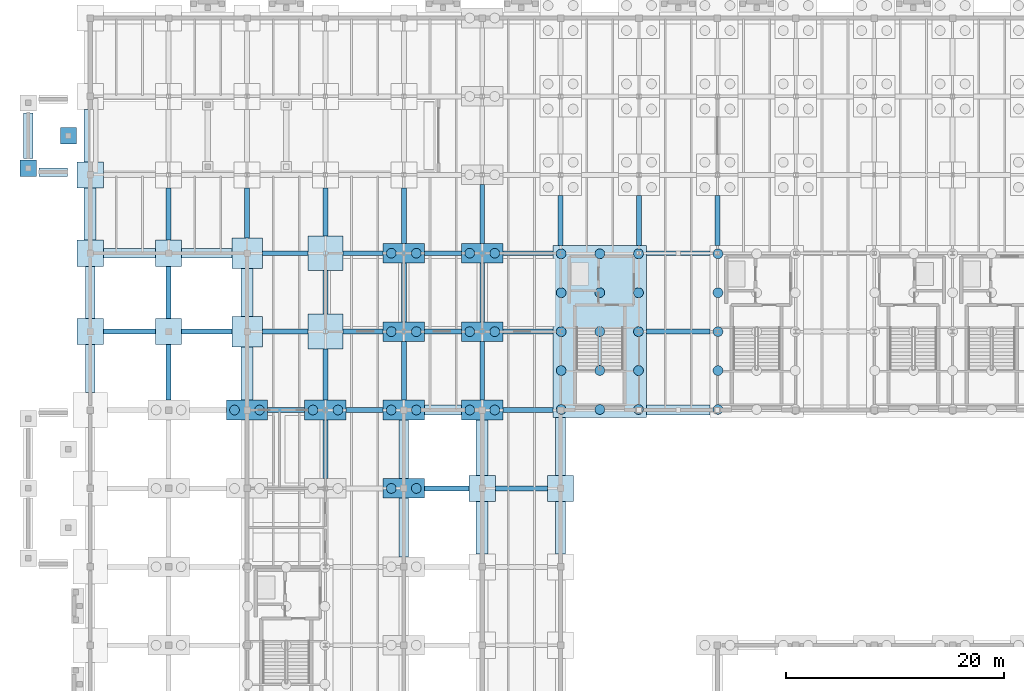
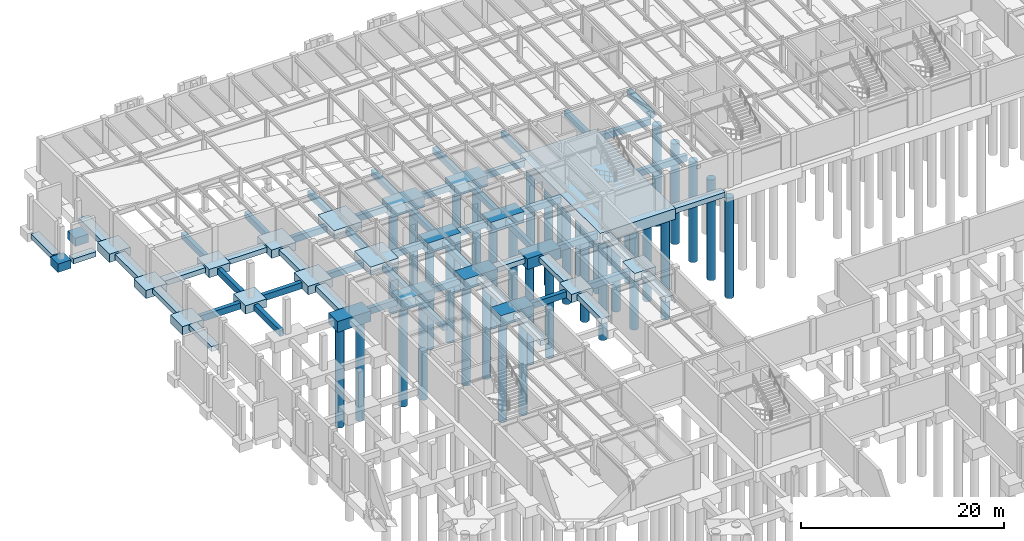
# One storey, part 6 of 46: 75 footings, 38 piles.
"""IFC4 building model written with IfcOpenShell, lengths in metres."""

from ifc_helpers import new_model, si_unit, direction, frame, origin, origin_2d, place, context, subcontext, project, spatial, rectangle, circle, extrude, material, material_profile, profile_set, type_object, element, save


model = new_model("IFC4")

# Units and contexts
model_context = context("Model", 3, precision=1e-05, world=origin(), true_north=direction((0.0, 1.0)))
body_context = subcontext(model_context, "Body", "Model", "MODEL_VIEW")
ifc_project = project(units=[si_unit("LENGTHUNIT", "METRE"), si_unit("AREAUNIT", "SQUARE_METRE"), si_unit("VOLUMEUNIT", "CUBIC_METRE"), si_unit("PLANEANGLEUNIT", "RADIAN"), si_unit("MASSUNIT", "GRAM", prefix="KILO")], contexts=[model_context])

# Site, building, storey
site_placement = place(None, origin())
site = spatial("IfcSite", under=ifc_project, at=site_placement, CompositionType="ELEMENT")
building_placement = place(site_placement, origin())
building = spatial("IfcBuilding", under=site, at=building_placement, Name="Sillqori Civic Hall", CompositionType="ELEMENT")
storey_placement = place(building_placement, frame((0.0, 0.0, -4.199951171875)))
storey = spatial("IfcBuildingStorey", under=building, at=storey_placement, Name="B01", CompositionType="ELEMENT", Elevation=-4.199951171875)

# Footings
ifc_material = material(Name="Concrete C35/45 (H35)", Category="concrete")
footing_type_1 = type_object("IfcFootingType", Name="FB-450X750", PredefinedType="FOOTING_BEAM", material=ifc_material)
footing_1_placement = place(storey_placement, frame((10.800048828125, 86.39990234375, -0.969970703125), z_axis=(0.0, 0.0, 1.0), x_axis=(1.0, 0.0, 0.0)))
element("IfcFooting", 1, at=footing_1_placement, inside=storey, type_object=footing_type_1, Name="Seismic tie beam X 1-12", PredefinedType="FOOTING_BEAM", context=body_context, shape_type="SweptSolid", body=[
    extrude(rectangle(XDim=4.800048828125, YDim=0.449951171875, at=origin_2d()), origin(), (0.0, 0.0, 1.0), 0.75),
])
footing_2_placement = place(storey_placement, frame((14.39990234375, 82.64990234375, -0.969970703125), z_axis=(0.0, 0.0, 1.0), x_axis=(1.0, 0.0, 0.0)))
element("IfcFooting", 2, at=footing_2_placement, inside=storey, type_object=footing_type_1, Name="Seismic tie beam Y 2-11", PredefinedType="FOOTING_BEAM", context=body_context, shape_type="SweptSolid", body=[
    extrude(rectangle(XDim=0.449951171875, YDim=5.10009765625, at=origin_2d()), origin(), (0.0, 0.0, 1.0), 0.75),
])
footing_3_placement = place(storey_placement, frame((17.89990234375, 86.39990234375, -0.969970703125), z_axis=(0.0, 0.0, 1.0), x_axis=(1.0, 0.0, 0.0)))
element("IfcFooting", 3, at=footing_3_placement, inside=storey, type_object=footing_type_1, Name="Seismic tie beam X 2-12", PredefinedType="FOOTING_BEAM", context=body_context, shape_type="SweptSolid", body=[
    extrude(rectangle(XDim=4.60009765625, YDim=0.449951171875, at=origin_2d()), origin(), (0.0, 0.0, 1.0), 0.75),
])
for number, where, z_axis, x_axis, name in (
    (4, (14.39990234375, 90.0, -0.969970703125), (0.0, 0.0, 1.0), (1.0, 0.0, 0.0), "Seismic tie beam Y 2-12"),
    (5, (14.39990234375, 97.199951171875, -0.969970703125), (0.0, 0.0, 1.0), (1.0, 0.0, 0.0), "Seismic tie beam Y 2-13"),
):
    element("IfcFooting", number, at=place(storey_placement, frame(where, z_axis=z_axis, x_axis=x_axis)), inside=storey, type_object=footing_type_1, Name=name, PredefinedType="FOOTING_BEAM", context=body_context, shape_type="SweptSolid", body=[
        extrude(rectangle(XDim=0.449951171875, YDim=4.800048828125, at=origin_2d()), origin(), (0.0, 0.0, 1.0), 0.75),
    ])
footing_4_placement = place(storey_placement, frame((25.199951171875, 79.199951171875, -0.969970703125), z_axis=(0.0, 0.0, 1.0), x_axis=(1.0, 0.0, 0.0)))
element("IfcFooting", 6, at=footing_4_placement, inside=storey, type_object=footing_type_1, Name="Seismic tie beam X 3-11", PredefinedType="FOOTING_BEAM", context=body_context, shape_type="SweptSolid", body=[
    extrude(rectangle(XDim=3.39990234375, YDim=0.449951171875, at=origin_2d()), origin(), (0.0, 0.0, 1.0), 0.75),
])
for number, where, z_axis, x_axis, name in (
    (7, (25.10009765625, 86.39990234375, -0.969970703125), (0.0, 0.0, 1.0), (1.0, 0.0, 0.0), "Seismic tie beam X 3-12"),
    (8, (25.10009765625, 93.60009765625, -0.969970703125), (0.0, 0.0, 1.0), (1.0, 0.0, 0.0), "Seismic tie beam X 3-13"),
):
    element("IfcFooting", number, at=place(storey_placement, frame(where, z_axis=z_axis, x_axis=x_axis)), inside=storey, type_object=footing_type_1, Name=name, PredefinedType="FOOTING_BEAM", context=body_context, shape_type="SweptSolid", body=[
        extrude(rectangle(XDim=4.199951171875, YDim=0.449951171875, at=origin_2d()), origin(), (0.0, 0.0, 1.0), 0.75),
    ])
footing_5_placement = place(storey_placement, frame((21.60009765625, 97.300048828125, -0.969970703125), z_axis=(0.0, 0.0, 1.0), x_axis=(1.0, 0.0, 0.0)))
element("IfcFooting", 9, at=footing_5_placement, inside=storey, type_object=footing_type_1, Name="Seismic tie beam Y 3-13", PredefinedType="FOOTING_BEAM", context=body_context, shape_type="SweptSolid", body=[
    extrude(rectangle(XDim=0.449951171875, YDim=4.60009765625, at=origin_2d()), origin(), (0.0, 0.0, 1.0), 0.75),
])
footing_6_placement = place(storey_placement, frame((28.800048828125, 75.60009765625, -0.969970703125), z_axis=(0.0, 0.0, 1.0), x_axis=(1.0, 0.0, 0.0)))
element("IfcFooting", 10, at=footing_6_placement, inside=storey, type_object=footing_type_1, Name="Seismic tie beam Y 4-10", PredefinedType="FOOTING_BEAM", context=body_context, shape_type="SweptSolid", body=[
    extrude(rectangle(XDim=0.449951171875, YDim=5.39990234375, at=origin_2d()), origin(), (0.0, 0.0, 1.0), 0.75),
])
footing_7_placement = place(storey_placement, frame((32.39990234375, 79.199951171875, -0.969970703125), z_axis=(0.0, 0.0, 1.0), x_axis=(1.0, 0.0, 0.0)))
element("IfcFooting", 11, at=footing_7_placement, inside=storey, type_object=footing_type_1, Name="Seismic tie beam X 4-11", PredefinedType="FOOTING_BEAM", context=body_context, shape_type="SweptSolid", body=[
    extrude(rectangle(XDim=3.39990234375, YDim=0.449951171875, at=origin_2d()), origin(), (0.0, 0.0, 1.0), 0.75),
])
footing_8_placement = place(storey_placement, frame((28.800048828125, 82.449951171875, -0.969970703125), z_axis=(0.0, 0.0, 1.0), x_axis=(1.0, 0.0, 0.0)))
element("IfcFooting", 12, at=footing_8_placement, inside=storey, type_object=footing_type_1, Name="Seismic tie beam Y 4-11", PredefinedType="FOOTING_BEAM", context=body_context, shape_type="SweptSolid", body=[
    extrude(rectangle(XDim=0.449951171875, YDim=4.699951171875, at=origin_2d()), origin(), (0.0, 0.0, 1.0), 0.75),
])
footing_9_placement = place(storey_placement, frame((32.25, 86.39990234375, -0.969970703125), z_axis=(0.0, 0.0, 1.0), x_axis=(1.0, 0.0, 0.0)))
element("IfcFooting", 13, at=footing_9_placement, inside=storey, type_object=footing_type_1, Name="Seismic tie beam X 4-12", PredefinedType="FOOTING_BEAM", context=body_context, shape_type="SweptSolid", body=[
    extrude(rectangle(XDim=3.699951171875, YDim=0.449951171875, at=origin_2d()), origin(), (0.0, 0.0, 1.0), 0.75),
])
footing_10_placement = place(storey_placement, frame((28.800048828125, 90.0, -0.969970703125), z_axis=(0.0, 0.0, 1.0), x_axis=(1.0, 0.0, 0.0)))
element("IfcFooting", 14, at=footing_10_placement, inside=storey, type_object=footing_type_1, Name="Seismic tie beam Y 4-12", PredefinedType="FOOTING_BEAM", context=body_context, shape_type="SweptSolid", body=[
    extrude(rectangle(XDim=0.449951171875, YDim=4.0, at=origin_2d()), origin(), (0.0, 0.0, 1.0), 0.75),
])
footing_11_placement = place(storey_placement, frame((32.25, 93.60009765625, -0.969970703125), z_axis=(0.0, 0.0, 1.0), x_axis=(1.0, 0.0, 0.0)))
element("IfcFooting", 15, at=footing_11_placement, inside=storey, type_object=footing_type_1, Name="Seismic tie beam X 4-13", PredefinedType="FOOTING_BEAM", context=body_context, shape_type="SweptSolid", body=[
    extrude(rectangle(XDim=3.699951171875, YDim=0.449951171875, at=origin_2d()), origin(), (0.0, 0.0, 1.0), 0.75),
])
footing_12_placement = place(storey_placement, frame((28.800048828125, 97.39990234375, -0.969970703125), z_axis=(0.0, 0.0, 1.0), x_axis=(1.0, 0.0, 0.0)))
element("IfcFooting", 16, at=footing_12_placement, inside=storey, type_object=footing_type_1, Name="Seismic tie beam Y 4-13", PredefinedType="FOOTING_BEAM", context=body_context, shape_type="SweptSolid", body=[
    extrude(rectangle(XDim=0.449951171875, YDim=4.39990234375, at=origin_2d()), origin(), (0.0, 0.0, 1.0), 0.75),
])
footing_13_placement = place(storey_placement, frame((39.949951171875, 72.0, -0.969970703125), z_axis=(0.0, 0.0, 1.0), x_axis=(1.0, 0.0, 0.0)))
element("IfcFooting", 17, at=footing_13_placement, inside=storey, type_object=footing_type_1, Name="Seismic tie beam X 5-10", PredefinedType="FOOTING_BEAM", context=body_context, shape_type="SweptSolid", body=[
    extrude(rectangle(XDim=4.10009765625, YDim=0.449951171875, at=origin_2d()), origin(), (0.0, 0.0, 1.0), 0.75),
])
footing_14_placement = place(storey_placement, frame((36.0, 82.800048828125, -0.969970703125), z_axis=(0.0, 0.0, 1.0), x_axis=(1.0, 0.0, 0.0)))
element("IfcFooting", 18, at=footing_14_placement, inside=storey, type_object=footing_type_1, Name="Seismic tie beam Y 5-11", PredefinedType="FOOTING_BEAM", context=body_context, shape_type="SweptSolid", body=[
    extrude(rectangle(XDim=0.449951171875, YDim=5.39990234375, at=origin_2d()), origin(), (0.0, 0.0, 1.0), 0.75),
])
footing_15_placement = place(storey_placement, frame((39.60009765625, 86.39990234375, -0.969970703125), z_axis=(0.0, 0.0, 1.0), x_axis=(1.0, 0.0, 0.0)))
element("IfcFooting", 19, at=footing_15_placement, inside=storey, type_object=footing_type_1, Name="Seismic tie beam X 5-12", PredefinedType="FOOTING_BEAM", context=body_context, shape_type="SweptSolid", body=[
    extrude(rectangle(XDim=3.39990234375, YDim=0.449951171875, at=origin_2d()), origin(), (0.0, 0.0, 1.0), 0.75),
])
footing_16_placement = place(storey_placement, frame((36.0, 90.0, -0.969970703125), z_axis=(0.0, 0.0, 1.0), x_axis=(1.0, 0.0, 0.0)))
element("IfcFooting", 20, at=footing_16_placement, inside=storey, type_object=footing_type_1, Name="Seismic tie beam Y 5-12", PredefinedType="FOOTING_BEAM", context=body_context, shape_type="SweptSolid", body=[
    extrude(rectangle(XDim=0.449951171875, YDim=5.39990234375, at=origin_2d()), origin(), (0.0, 0.0, 1.0), 0.75),
])
footing_17_placement = place(storey_placement, frame((39.60009765625, 93.60009765625, -0.969970703125), z_axis=(0.0, 0.0, 1.0), x_axis=(1.0, 0.0, 0.0)))
element("IfcFooting", 21, at=footing_17_placement, inside=storey, type_object=footing_type_1, Name="Seismic tie beam X 5-13", PredefinedType="FOOTING_BEAM", context=body_context, shape_type="SweptSolid", body=[
    extrude(rectangle(XDim=3.39990234375, YDim=0.449951171875, at=origin_2d()), origin(), (0.0, 0.0, 1.0), 0.75),
])
footing_18_placement = place(storey_placement, frame((36.0, 97.050048828125, -0.969970703125), z_axis=(0.0, 0.0, 1.0), x_axis=(1.0, 0.0, 0.0)))
element("IfcFooting", 22, at=footing_18_placement, inside=storey, type_object=footing_type_1, Name="Seismic tie beam Y 5-13", PredefinedType="FOOTING_BEAM", context=body_context, shape_type="SweptSolid", body=[
    extrude(rectangle(XDim=0.449951171875, YDim=5.10009765625, at=origin_2d()), origin(), (0.0, 0.0, 1.0), 0.75),
])
footing_19_placement = place(storey_placement, frame((46.800048828125, 72.0, -0.969970703125), z_axis=(0.0, 0.0, 1.0), x_axis=(1.0, 0.0, 0.0)))
element("IfcFooting", 23, at=footing_19_placement, inside=storey, type_object=footing_type_1, Name="Seismic tie beam X 6-10", PredefinedType="FOOTING_BEAM", context=body_context, shape_type="SweptSolid", body=[
    extrude(rectangle(XDim=4.800048828125, YDim=0.449951171875, at=origin_2d()), origin(), (0.0, 0.0, 1.0), 0.75),
])
footing_20_placement = place(storey_placement, frame((47.39990234375, 79.199951171875, -0.969970703125), z_axis=(0.0, 0.0, 1.0), x_axis=(1.0, 0.0, 0.0)))
element("IfcFooting", 24, at=footing_20_placement, inside=storey, type_object=footing_type_1, Name="Seismic tie beam X 6-11", PredefinedType="FOOTING_BEAM", context=body_context, shape_type="SweptSolid", body=[
    extrude(rectangle(XDim=4.60009765625, YDim=0.449951171875, at=origin_2d()), origin(), (0.0, 0.0, 1.0), 0.75),
])
footing_21_placement = place(storey_placement, frame((43.199951171875, 82.800048828125, -0.969970703125), z_axis=(0.0, 0.0, 1.0), x_axis=(1.0, 0.0, 0.0)))
element("IfcFooting", 25, at=footing_21_placement, inside=storey, type_object=footing_type_1, Name="Seismic tie beam Y 6-11", PredefinedType="FOOTING_BEAM", context=body_context, shape_type="SweptSolid", body=[
    extrude(rectangle(XDim=0.449951171875, YDim=5.39990234375, at=origin_2d()), origin(), (0.0, 0.0, 1.0), 0.75),
])
footing_22_placement = place(storey_placement, frame((47.39990234375, 86.39990234375, -0.969970703125), z_axis=(0.0, 0.0, 1.0), x_axis=(1.0, 0.0, 0.0)))
element("IfcFooting", 26, at=footing_22_placement, inside=storey, type_object=footing_type_1, Name="Seismic tie beam X 6-12", PredefinedType="FOOTING_BEAM", context=body_context, shape_type="SweptSolid", body=[
    extrude(rectangle(XDim=4.60009765625, YDim=0.449951171875, at=origin_2d()), origin(), (0.0, 0.0, 1.0), 0.75),
])
footing_23_placement = place(storey_placement, frame((43.199951171875, 90.0, -0.969970703125), z_axis=(0.0, 0.0, 1.0), x_axis=(1.0, 0.0, 0.0)))
element("IfcFooting", 27, at=footing_23_placement, inside=storey, type_object=footing_type_1, Name="Seismic tie beam Y 6-12", PredefinedType="FOOTING_BEAM", context=body_context, shape_type="SweptSolid", body=[
    extrude(rectangle(XDim=0.449951171875, YDim=5.39990234375, at=origin_2d()), origin(), (0.0, 0.0, 1.0), 0.75),
])
footing_24_placement = place(storey_placement, frame((47.39990234375, 93.60009765625, -0.969970703125), z_axis=(0.0, 0.0, 1.0), x_axis=(1.0, 0.0, 0.0)))
element("IfcFooting", 28, at=footing_24_placement, inside=storey, type_object=footing_type_1, Name="Seismic tie beam X 6-13", PredefinedType="FOOTING_BEAM", context=body_context, shape_type="SweptSolid", body=[
    extrude(rectangle(XDim=4.60009765625, YDim=0.449951171875, at=origin_2d()), origin(), (0.0, 0.0, 1.0), 0.75),
])
footing_25_placement = place(storey_placement, frame((43.199951171875, 97.199951171875, -0.969970703125), z_axis=(0.0, 0.0, 1.0), x_axis=(1.0, 0.0, 0.0)))
element("IfcFooting", 29, at=footing_25_placement, inside=storey, type_object=footing_type_1, Name="Seismic tie beam Y 6-13", PredefinedType="FOOTING_BEAM", context=body_context, shape_type="SweptSolid", body=[
    extrude(rectangle(XDim=0.449951171875, YDim=5.39990234375, at=origin_2d()), origin(), (0.0, 0.0, 1.0), 0.75),
])
footing_26_placement = place(storey_placement, frame((50.39990234375, 96.60009765625, -0.969970703125), z_axis=(0.0, 0.0, 1.0), x_axis=(1.0, 0.0, 0.0)))
element("IfcFooting", 30, at=footing_26_placement, inside=storey, type_object=footing_type_1, Name="Seismic tie beam Y 7-13", PredefinedType="FOOTING_BEAM", context=body_context, shape_type="SweptSolid", body=[
    extrude(rectangle(XDim=0.449951171875, YDim=4.60009765625, at=origin_2d()), origin(), (0.0, 0.0, 1.0), 0.75),
])
for number, where, z_axis, x_axis, name in (
    (31, (61.199951171875, 86.39990234375, -0.969970703125), (0.0, 0.0, 1.0), (1.0, 0.0, 0.0), "Seismic tie beam X 8-12"),
    (32, (61.199951171875, 93.60009765625, -0.969970703125), (0.0, 0.0, 1.0), (1.0, 0.0, 0.0), "Seismic tie beam X 8-13"),
):
    element("IfcFooting", number, at=place(storey_placement, frame(where, z_axis=z_axis, x_axis=x_axis)), inside=storey, type_object=footing_type_1, Name=name, PredefinedType="FOOTING_BEAM", context=body_context, shape_type="SweptSolid", body=[
        extrude(rectangle(XDim=5.800048828125, YDim=0.449951171875, at=origin_2d()), origin(), (0.0, 0.0, 1.0), 0.75),
    ])
for number, where, z_axis, x_axis, name in (
    (33, (57.60009765625, 96.60009765625, -0.969970703125), (0.0, 0.0, 1.0), (1.0, 0.0, 0.0), "Seismic tie beam Y 8-13"),
    (34, (64.800048828125, 96.60009765625, -0.969970703125), (0.0, 0.0, 1.0), (1.0, 0.0, 0.0), "Seismic tie beam Y 9-13"),
):
    element("IfcFooting", number, at=place(storey_placement, frame(where, z_axis=z_axis, x_axis=x_axis)), inside=storey, type_object=footing_type_1, Name=name, PredefinedType="FOOTING_BEAM", context=body_context, shape_type="SweptSolid", body=[
        extrude(rectangle(XDim=0.449951171875, YDim=4.60009765625, at=origin_2d()), origin(), (0.0, 0.0, 1.0), 0.75),
    ])
footing_type_2 = type_object("IfcFootingType", Name="PC-2P", PredefinedType="PILE_CAP", material=ifc_material)
for number, where, z_axis, x_axis, name in (
    (35, (21.60009765625, 79.199951171875, -1.30029296875), (0.0, 0.0, 1.0), (1.0, 0.0, 0.0), "Pile cap 3-11"),
    (36, (28.800048828125, 79.199951171875, -1.30029296875), (0.0, 0.0, 1.0), (1.0, 0.0, 0.0), "Pile cap 4-11"),
    (37, (36.0, 72.0, -1.30029296875), (0.0, 0.0, 1.0), (1.0, 0.0, 0.0), "Pile cap 5-10"),
    (38, (36.0, 79.199951171875, -1.30029296875), (0.0, 0.0, 1.0), (1.0, 0.0, 0.0), "Pile cap 5-11"),
    (39, (36.0, 86.39990234375, -1.30029296875), (0.0, 0.0, 1.0), (1.0, 0.0, 0.0), "Pile cap 5-12"),
    (40, (36.0, 93.60009765625, -1.30029296875), (0.0, 0.0, 1.0), (1.0, 0.0, 0.0), "Pile cap 5-13"),
    (41, (43.199951171875, 79.199951171875, -1.30029296875), (0.0, 0.0, 1.0), (1.0, 0.0, 0.0), "Pile cap 6-11"),
    (42, (43.199951171875, 86.39990234375, -1.30029296875), (0.0, 0.0, 1.0), (1.0, 0.0, 0.0), "Pile cap 6-12"),
    (43, (43.199951171875, 93.60009765625, -1.30029296875), (0.0, 0.0, 1.0), (1.0, 0.0, 0.0), "Pile cap 6-13"),
):
    element("IfcFooting", number, at=place(storey_placement, frame(where, z_axis=z_axis, x_axis=x_axis)), inside=storey, type_object=footing_type_2, Name=name, PredefinedType="PILE_CAP", context=body_context, shape_type="SweptSolid", body=[
        extrude(rectangle(XDim=3.800048828125, YDim=1.800048828125, at=origin_2d()), origin(), (0.0, 0.0, 1.0), 1.300048828125),
    ])
footing_type_3 = type_object("IfcFootingType", Name="PC-CORE", PredefinedType="PILE_CAP", material=ifc_material)
footing_27_placement = place(storey_placement, frame((54.0, 86.39990234375, -1.30029296875), z_axis=(0.0, 0.0, 1.0), x_axis=(1.0, 0.0, 0.0)))
element("IfcFooting", 44, at=footing_27_placement, inside=storey, type_object=footing_type_3, Name="Core mat pile cap C5", PredefinedType="PILE_CAP", context=body_context, shape_type="SweptSolid", body=[
    extrude(rectangle(XDim=8.60009765625, YDim=15.800048828125, at=origin_2d()), origin(), (0.0, 0.0, 1.0), 1.300048828125),
])
footing_type_4 = type_object("IfcFootingType", Name="PF-1500", PredefinedType="PAD_FOOTING", material=ifc_material)
for number, where, z_axis, x_axis, name in (
    (45, (1.5, 101.39990234375, -1.0), (0.0, 0.0, 1.0), (1.0, 0.0, 0.0), "Car park ramp grade apron footing 1"),
    (46, (5.199951171875, 104.39990234375, -1.0), (0.0, 0.0, 1.0), (1.0, 0.0, 0.0), "Car park ramp grade apron footing 3"),
):
    element("IfcFooting", number, at=place(storey_placement, frame(where, z_axis=z_axis, x_axis=x_axis)), inside=storey, type_object=footing_type_4, Name=name, PredefinedType="PAD_FOOTING", context=body_context, shape_type="SweptSolid", body=[
        extrude(rectangle(XDim=1.5, YDim=1.5, at=origin_2d()), origin(), (0.0, 0.0, 1.0), 1.0),
    ])
footing_type_5 = type_object("IfcFootingType", Name="PF-2400", PredefinedType="PAD_FOOTING", material=ifc_material)
for number, where, z_axis, x_axis, name in (
    (47, (7.199951171875, 86.39990234375, -1.0), (0.0, 0.0, 1.0), (1.0, 0.0, 0.0), "Spread footing 1-12"),
    (48, (7.199951171875, 93.60009765625, -1.0), (0.0, 0.0, 1.0), (1.0, 0.0, 0.0), "Spread footing 1-13"),
    (49, (7.199951171875, 100.800048828125, -1.0), (0.0, 0.0, 1.0), (1.0, 0.0, 0.0), "Spread footing 1-14"),
    (50, (14.39990234375, 86.39990234375, -1.0), (0.0, 0.0, 1.0), (1.0, 0.0, 0.0), "Spread footing 2-12"),
    (51, (14.39990234375, 93.60009765625, -1.0), (0.0, 0.0, 1.0), (1.0, 0.0, 0.0), "Spread footing 2-13"),
    (52, (43.199951171875, 72.0, -1.0), (0.0, 0.0, 1.0), (1.0, 0.0, 0.0), "Spread footing 6-10"),
    (53, (50.39990234375, 72.0, -1.0), (0.0, 0.0, 1.0), (1.0, 0.0, 0.0), "Spread footing 7-10"),
):
    element("IfcFooting", number, at=place(storey_placement, frame(where, z_axis=z_axis, x_axis=x_axis)), inside=storey, type_object=footing_type_5, Name=name, PredefinedType="PAD_FOOTING", context=body_context, shape_type="SweptSolid", body=[
        extrude(rectangle(XDim=2.39990234375, YDim=2.39990234375, at=origin_2d()), origin(), (0.0, 0.0, 1.0), 1.0),
    ])
footing_type_6 = type_object("IfcFootingType", Name="PF-2800", PredefinedType="PAD_FOOTING", material=ifc_material)
for number, where, z_axis, x_axis, name in (
    (54, (21.60009765625, 86.39990234375, -1.0), (0.0, 0.0, 1.0), (1.0, 0.0, 0.0), "Spread footing 3-12"),
    (55, (21.60009765625, 93.60009765625, -1.0), (0.0, 0.0, 1.0), (1.0, 0.0, 0.0), "Spread footing 3-13"),
):
    element("IfcFooting", number, at=place(storey_placement, frame(where, z_axis=z_axis, x_axis=x_axis)), inside=storey, type_object=footing_type_6, Name=name, PredefinedType="PAD_FOOTING", context=body_context, shape_type="SweptSolid", body=[
        extrude(rectangle(XDim=2.800048828125, YDim=2.800048828125, at=origin_2d()), origin(), (0.0, 0.0, 1.0), 1.0),
    ])
footing_type_7 = type_object("IfcFootingType", Name="PF-3200", PredefinedType="PAD_FOOTING", material=ifc_material)
for number, where, z_axis, x_axis, name in (
    (56, (28.800048828125, 86.39990234375, -1.0), (0.0, 0.0, 1.0), (1.0, 0.0, 0.0), "Spread footing 4-12"),
    (57, (28.800048828125, 93.60009765625, -1.0), (0.0, 0.0, 1.0), (1.0, 0.0, 0.0), "Spread footing 4-13"),
):
    element("IfcFooting", number, at=place(storey_placement, frame(where, z_axis=z_axis, x_axis=x_axis)), inside=storey, type_object=footing_type_7, Name=name, PredefinedType="PAD_FOOTING", context=body_context, shape_type="SweptSolid", body=[
        extrude(rectangle(XDim=3.199951171875, YDim=3.199951171875, at=origin_2d()), origin(), (0.0, 0.0, 1.0), 1.0),
    ])

# Piles
ifc_material_profile = material_profile(ifc_material, circle(Radius=0.449951171875, at=origin_2d()), Name="BORED PILE 900")
ifc_profile_set = profile_set([ifc_material_profile], Name="Concrete C35/45 (H35)")
pile_type = type_object("IfcPileType", Name="PILE-BORED-900", PredefinedType="BORED", material=ifc_profile_set)
for number, where, z_axis, x_axis, name in (
    (58, (50.449951171875, 79.25, -1.199951171875), (0.0, 0.0, -1.0), (1.0, 0.0, 0.0), "Bored pile FTG-CAP-C5-01"),
    (59, (50.449951171875, 82.824951171875, -1.199951171875), (0.0, 0.0, -1.0), (1.0, 0.0, 0.0), "Bored pile FTG-CAP-C5-02"),
    (60, (50.449951171875, 86.39990234375, -1.199951171875), (0.0, 0.0, -1.0), (1.0, 0.0, 0.0), "Bored pile FTG-CAP-C5-03"),
    (61, (50.449951171875, 89.97509765625, -1.199951171875), (0.0, 0.0, -1.0), (1.0, 0.0, 0.0), "Bored pile FTG-CAP-C5-04"),
    (62, (50.449951171875, 93.550048828125, -1.199951171875), (0.0, 0.0, -1.0), (1.0, 0.0, 0.0), "Bored pile FTG-CAP-C5-05"),
    (63, (54.0, 79.25, -1.199951171875), (0.0, 0.0, -1.0), (1.0, 0.0, 0.0), "Bored pile FTG-CAP-C5-06"),
    (64, (54.0, 82.824951171875, -1.199951171875), (0.0, 0.0, -1.0), (1.0, 0.0, 0.0), "Bored pile FTG-CAP-C5-07"),
    (65, (54.0, 86.39990234375, -1.199951171875), (0.0, 0.0, -1.0), (1.0, 0.0, 0.0), "Bored pile FTG-CAP-C5-08"),
    (66, (54.0, 89.97509765625, -1.199951171875), (0.0, 0.0, -1.0), (1.0, 0.0, 0.0), "Bored pile FTG-CAP-C5-09"),
    (67, (54.0, 93.550048828125, -1.199951171875), (0.0, 0.0, -1.0), (1.0, 0.0, 0.0), "Bored pile FTG-CAP-C5-10"),
    (68, (57.550048828125, 79.25, -1.199951171875), (0.0, 0.0, -1.0), (1.0, 0.0, 0.0), "Bored pile FTG-CAP-C5-11"),
    (69, (57.550048828125, 82.824951171875, -1.199951171875), (0.0, 0.0, -1.0), (1.0, 0.0, 0.0), "Bored pile FTG-CAP-C5-12"),
    (70, (57.550048828125, 86.39990234375, -1.199951171875), (0.0, 0.0, -1.0), (1.0, 0.0, 0.0), "Bored pile FTG-CAP-C5-13"),
    (71, (57.550048828125, 89.97509765625, -1.199951171875), (0.0, 0.0, -1.0), (1.0, 0.0, 0.0), "Bored pile FTG-CAP-C5-14"),
    (72, (57.550048828125, 93.550048828125, -1.199951171875), (0.0, 0.0, -1.0), (1.0, 0.0, 0.0), "Bored pile FTG-CAP-C5-15"),
    (73, (64.85009765625, 79.25, -1.199951171875), (0.0, 0.0, -1.0), (1.0, 0.0, 0.0), "Bored pile FTG-CAP-C6-01"),
    (74, (64.85009765625, 82.824951171875, -1.199951171875), (0.0, 0.0, -1.0), (1.0, 0.0, 0.0), "Bored pile FTG-CAP-C6-02"),
    (75, (64.85009765625, 86.39990234375, -1.199951171875), (0.0, 0.0, -1.0), (1.0, 0.0, 0.0), "Bored pile FTG-CAP-C6-03"),
    (76, (64.85009765625, 89.97509765625, -1.199951171875), (0.0, 0.0, -1.0), (1.0, 0.0, 0.0), "Bored pile FTG-CAP-C6-04"),
    (77, (64.85009765625, 93.550048828125, -1.199951171875), (0.0, 0.0, -1.0), (1.0, 0.0, 0.0), "Bored pile FTG-CAP-C6-05"),
    (78, (20.449951171875, 79.199951171875, -1.199951171875), (0.0, 0.0, -1.0), (1.0, 0.0, 0.0), "Bored pile FTG-PC-03-11-01"),
    (79, (22.75, 79.199951171875, -1.199951171875), (0.0, 0.0, -1.0), (1.0, 0.0, 0.0), "Bored pile FTG-PC-03-11-02"),
    (80, (27.64990234375, 79.199951171875, -1.199951171875), (0.0, 0.0, -1.0), (1.0, 0.0, 0.0), "Bored pile FTG-PC-04-11-01"),
    (81, (29.949951171875, 79.199951171875, -1.199951171875), (0.0, 0.0, -1.0), (1.0, 0.0, 0.0), "Bored pile FTG-PC-04-11-02"),
    (82, (34.85009765625, 72.0, -1.199951171875), (0.0, 0.0, -1.0), (1.0, 0.0, 0.0), "Bored pile FTG-PC-05-10-01"),
    (83, (37.14990234375, 72.0, -1.199951171875), (0.0, 0.0, -1.0), (1.0, 0.0, 0.0), "Bored pile FTG-PC-05-10-02"),
    (84, (34.85009765625, 79.199951171875, -1.199951171875), (0.0, 0.0, -1.0), (1.0, 0.0, 0.0), "Bored pile FTG-PC-05-11-01"),
    (85, (37.14990234375, 79.199951171875, -1.199951171875), (0.0, 0.0, -1.0), (1.0, 0.0, 0.0), "Bored pile FTG-PC-05-11-02"),
    (86, (34.85009765625, 86.39990234375, -1.199951171875), (0.0, 0.0, -1.0), (1.0, 0.0, 0.0), "Bored pile FTG-PC-05-12-01"),
    (87, (37.14990234375, 86.39990234375, -1.199951171875), (0.0, 0.0, -1.0), (1.0, 0.0, 0.0), "Bored pile FTG-PC-05-12-02"),
    (88, (34.85009765625, 93.60009765625, -1.199951171875), (0.0, 0.0, -1.0), (1.0, 0.0, 0.0), "Bored pile FTG-PC-05-13-01"),
    (89, (37.14990234375, 93.60009765625, -1.199951171875), (0.0, 0.0, -1.0), (1.0, 0.0, 0.0), "Bored pile FTG-PC-05-13-02"),
    (90, (42.050048828125, 79.199951171875, -1.199951171875), (0.0, 0.0, -1.0), (1.0, 0.0, 0.0), "Bored pile FTG-PC-06-11-01"),
    (91, (44.35009765625, 79.199951171875, -1.199951171875), (0.0, 0.0, -1.0), (1.0, 0.0, 0.0), "Bored pile FTG-PC-06-11-02"),
    (92, (42.050048828125, 86.39990234375, -1.199951171875), (0.0, 0.0, -1.0), (1.0, 0.0, 0.0), "Bored pile FTG-PC-06-12-01"),
    (93, (44.35009765625, 86.39990234375, -1.199951171875), (0.0, 0.0, -1.0), (1.0, 0.0, 0.0), "Bored pile FTG-PC-06-12-02"),
    (94, (42.050048828125, 93.60009765625, -1.199951171875), (0.0, 0.0, -1.0), (1.0, 0.0, 0.0), "Bored pile FTG-PC-06-13-01"),
    (95, (44.35009765625, 93.60009765625, -1.199951171875), (0.0, 0.0, -1.0), (1.0, 0.0, 0.0), "Bored pile FTG-PC-06-13-02"),
):
    element("IfcPile", number, at=place(storey_placement, frame(where, z_axis=z_axis, x_axis=x_axis)), inside=storey, type_object=pile_type, Name=name, PredefinedType="BORED", context=body_context, shape_type="SweptSolid", body=[
        extrude(circle(Radius=0.449951171875, at=origin_2d()), origin(), (0.0, 0.0, 1.0), 12.10009765625),
    ])

# Footings
footing_type_8 = type_object("IfcFootingType", Name="SF-1100X650", PredefinedType="STRIP_FOOTING", material=ifc_material)
for number, where, z_axis, x_axis, name in (
    (96, (7.199951171875, 97.199951171875, -0.8701171875), (0.0, 0.0, 1.0), (1.0, 0.0, 0.0), "Perimeter strip footing W 1-13"),
    (97, (7.199951171875, 104.39990234375, -0.8701171875), (0.0, 0.0, 1.0), (1.0, 0.0, 0.0), "Perimeter strip footing W 1-14"),
):
    element("IfcFooting", number, at=place(storey_placement, frame(where, z_axis=z_axis, x_axis=x_axis)), inside=storey, type_object=footing_type_8, Name=name, PredefinedType="STRIP_FOOTING", context=body_context, shape_type="SweptSolid", body=[
        extrude(rectangle(XDim=1.10009765625, YDim=4.800048828125, at=origin_2d()), origin(), (0.0, 0.0, 1.0), 0.64990234375),
    ])
footing_28_placement = place(storey_placement, frame((21.60009765625, 82.550048828125, -0.8701171875), z_axis=(0.0, 0.0, 1.0), x_axis=(1.0, 0.0, 0.0)))
element("IfcFooting", 98, at=footing_28_placement, inside=storey, type_object=footing_type_8, Name="Perimeter strip footing W 3-11", PredefinedType="STRIP_FOOTING", context=body_context, shape_type="SweptSolid", body=[
    extrude(rectangle(XDim=1.10009765625, YDim=4.89990234375, at=origin_2d()), origin(), (0.0, 0.0, 1.0), 0.64990234375),
])
footing_29_placement = place(storey_placement, frame((21.60009765625, 90.0, -0.8701171875), z_axis=(0.0, 0.0, 1.0), x_axis=(1.0, 0.0, 0.0)))
element("IfcFooting", 99, at=footing_29_placement, inside=storey, type_object=footing_type_8, Name="Perimeter strip footing W 3-12", PredefinedType="STRIP_FOOTING", context=body_context, shape_type="SweptSolid", body=[
    extrude(rectangle(XDim=1.10009765625, YDim=4.39990234375, at=origin_2d()), origin(), (0.0, 0.0, 1.0), 0.64990234375),
])
footing_30_placement = place(storey_placement, frame((43.199951171875, 68.39990234375, -0.8701171875), z_axis=(0.0, 0.0, 1.0), x_axis=(1.0, 0.0, 0.0)))
element("IfcFooting", 100, at=footing_30_placement, inside=storey, type_object=footing_type_8, Name="Perimeter strip footing W 6-9", PredefinedType="STRIP_FOOTING", context=body_context, shape_type="SweptSolid", body=[
    extrude(rectangle(XDim=1.10009765625, YDim=4.800048828125, at=origin_2d()), origin(), (0.0, 0.0, 1.0), 0.64990234375),
])
footing_31_placement = place(storey_placement, frame((43.199951171875, 75.75, -0.8701171875), z_axis=(0.0, 0.0, 1.0), x_axis=(1.0, 0.0, 0.0)))
element("IfcFooting", 101, at=footing_31_placement, inside=storey, type_object=footing_type_8, Name="Perimeter strip footing W 6-10", PredefinedType="STRIP_FOOTING", context=body_context, shape_type="SweptSolid", body=[
    extrude(rectangle(XDim=1.10009765625, YDim=5.10009765625, at=origin_2d()), origin(), (0.0, 0.0, 1.0), 0.64990234375),
])
footing_type_9 = type_object("IfcFootingType", Name="SF-900X600", PredefinedType="STRIP_FOOTING", material=ifc_material)
footing_32_placement = place(storey_placement, frame((10.800048828125, 93.60009765625, -0.820068359375), z_axis=(0.0, 0.0, 1.0), x_axis=(1.0, 0.0, 0.0)))
element("IfcFooting", 102, at=footing_32_placement, inside=storey, type_object=footing_type_9, Name="Perimeter strip footing S 1-13", PredefinedType="STRIP_FOOTING", context=body_context, shape_type="SweptSolid", body=[
    extrude(rectangle(XDim=4.800048828125, YDim=0.89990234375, at=origin_2d()), origin(), (0.0, 0.0, 1.0), 0.60009765625),
])
footing_33_placement = place(storey_placement, frame((17.89990234375, 93.60009765625, -0.820068359375), z_axis=(0.0, 0.0, 1.0), x_axis=(1.0, 0.0, 0.0)))
element("IfcFooting", 103, at=footing_33_placement, inside=storey, type_object=footing_type_9, Name="Perimeter strip footing S 2-13", PredefinedType="STRIP_FOOTING", context=body_context, shape_type="SweptSolid", body=[
    extrude(rectangle(XDim=4.60009765625, YDim=0.89990234375, at=origin_2d()), origin(), (0.0, 0.0, 1.0), 0.60009765625),
])
for number, where, z_axis, x_axis, name in (
    (104, (36.0, 68.39990234375, -0.820068359375), (0.0, 0.0, 1.0), (1.0, 0.0, 0.0), "Perimeter strip footing E 4-9"),
    (105, (36.0, 75.60009765625, -0.820068359375), (0.0, 0.0, 1.0), (1.0, 0.0, 0.0), "Perimeter strip footing E 4-10"),
):
    element("IfcFooting", number, at=place(storey_placement, frame(where, z_axis=z_axis, x_axis=x_axis)), inside=storey, type_object=footing_type_9, Name=name, PredefinedType="STRIP_FOOTING", context=body_context, shape_type="SweptSolid", body=[
        extrude(rectangle(XDim=0.89990234375, YDim=5.39990234375, at=origin_2d()), origin(), (0.0, 0.0, 1.0), 0.60009765625),
    ])
footing_34_placement = place(storey_placement, frame((39.60009765625, 79.199951171875, -0.820068359375), z_axis=(0.0, 0.0, 1.0), x_axis=(1.0, 0.0, 0.0)))
element("IfcFooting", 106, at=footing_34_placement, inside=storey, type_object=footing_type_9, Name="Perimeter strip footing S 5-11", PredefinedType="STRIP_FOOTING", context=body_context, shape_type="SweptSolid", body=[
    extrude(rectangle(XDim=3.39990234375, YDim=0.89990234375, at=origin_2d()), origin(), (0.0, 0.0, 1.0), 0.60009765625),
])
footing_35_placement = place(storey_placement, frame((50.39990234375, 68.39990234375, -0.820068359375), z_axis=(0.0, 0.0, 1.0), x_axis=(1.0, 0.0, 0.0)))
element("IfcFooting", 107, at=footing_35_placement, inside=storey, type_object=footing_type_9, Name="Perimeter strip footing E 6-9", PredefinedType="STRIP_FOOTING", context=body_context, shape_type="SweptSolid", body=[
    extrude(rectangle(XDim=0.89990234375, YDim=4.800048828125, at=origin_2d()), origin(), (0.0, 0.0, 1.0), 0.60009765625),
])
footing_36_placement = place(storey_placement, frame((50.39990234375, 75.85009765625, -0.820068359375), z_axis=(0.0, 0.0, 1.0), x_axis=(1.0, 0.0, 0.0)))
element("IfcFooting", 108, at=footing_36_placement, inside=storey, type_object=footing_type_9, Name="Perimeter strip footing E 6-10", PredefinedType="STRIP_FOOTING", context=body_context, shape_type="SweptSolid", body=[
    extrude(rectangle(XDim=0.89990234375, YDim=5.300048828125, at=origin_2d()), origin(), (0.0, 0.0, 1.0), 0.60009765625),
])
footing_37_placement = place(storey_placement, frame((61.199951171875, 79.199951171875, -0.820068359375), z_axis=(0.0, 0.0, 1.0), x_axis=(1.0, 0.0, 0.0)))
element("IfcFooting", 109, at=footing_37_placement, inside=storey, type_object=footing_type_9, Name="Perimeter strip footing S 8-11", PredefinedType="STRIP_FOOTING", context=body_context, shape_type="SweptSolid", body=[
    extrude(rectangle(XDim=5.800048828125, YDim=0.89990234375, at=origin_2d()), origin(), (0.0, 0.0, 1.0), 0.60009765625),
])
footing_38_placement = place(storey_placement, frame((7.199951171875, 83.0, -0.60009765625), z_axis=(0.0, 0.0, 1.0), x_axis=(1.0, 0.0, 0.0)))
element("IfcFooting", 110, at=footing_38_placement, inside=storey, type_object=footing_type_9, Name="Podium plinth strip footing W 1-11", PredefinedType="STRIP_FOOTING", context=body_context, shape_type="SweptSolid", body=[
    extrude(rectangle(XDim=0.89990234375, YDim=4.39990234375, at=origin_2d()), origin(), (0.0, 0.0, 1.0), 0.60009765625),
])
footing_39_placement = place(storey_placement, frame((7.199951171875, 90.0, -0.60009765625), z_axis=(0.0, 0.0, 1.0), x_axis=(1.0, 0.0, 0.0)))
element("IfcFooting", 111, at=footing_39_placement, inside=storey, type_object=footing_type_9, Name="Podium plinth strip footing W 1-12", PredefinedType="STRIP_FOOTING", context=body_context, shape_type="SweptSolid", body=[
    extrude(rectangle(XDim=0.89990234375, YDim=4.800048828125, at=origin_2d()), origin(), (0.0, 0.0, 1.0), 0.60009765625),
])
footing_40_placement = place(storey_placement, frame((1.5, 104.39990234375, -0.60009765625), z_axis=(0.0, 0.0, 1.0), x_axis=(1.0, 0.0, 0.0)))
element("IfcFooting", 112, at=footing_40_placement, inside=storey, type_object=footing_type_9, Name="Car park ramp grade apron plinth strip footing W", PredefinedType="STRIP_FOOTING", context=body_context, shape_type="SweptSolid", body=[
    extrude(rectangle(XDim=0.89990234375, YDim=4.199951171875, at=origin_2d()), origin(), (0.0, 0.0, 1.0), 0.60009765625),
])
footing_41_placement = place(storey_placement, frame((3.800048828125, 101.050048828125, -0.60009765625), z_axis=(0.0, 0.0, 1.0), x_axis=(1.0, 0.0, 0.0)))
element("IfcFooting", 113, at=footing_41_placement, inside=storey, type_object=footing_type_9, Name="Car park ramp grade apron plinth strip footing S", PredefinedType="STRIP_FOOTING", context=body_context, shape_type="SweptSolid", body=[
    extrude(rectangle(XDim=2.60009765625, YDim=0.800048828125, at=origin_2d()), origin(), (0.0, 0.0, 1.0), 0.60009765625),
])

save(model, "model.ifc")
